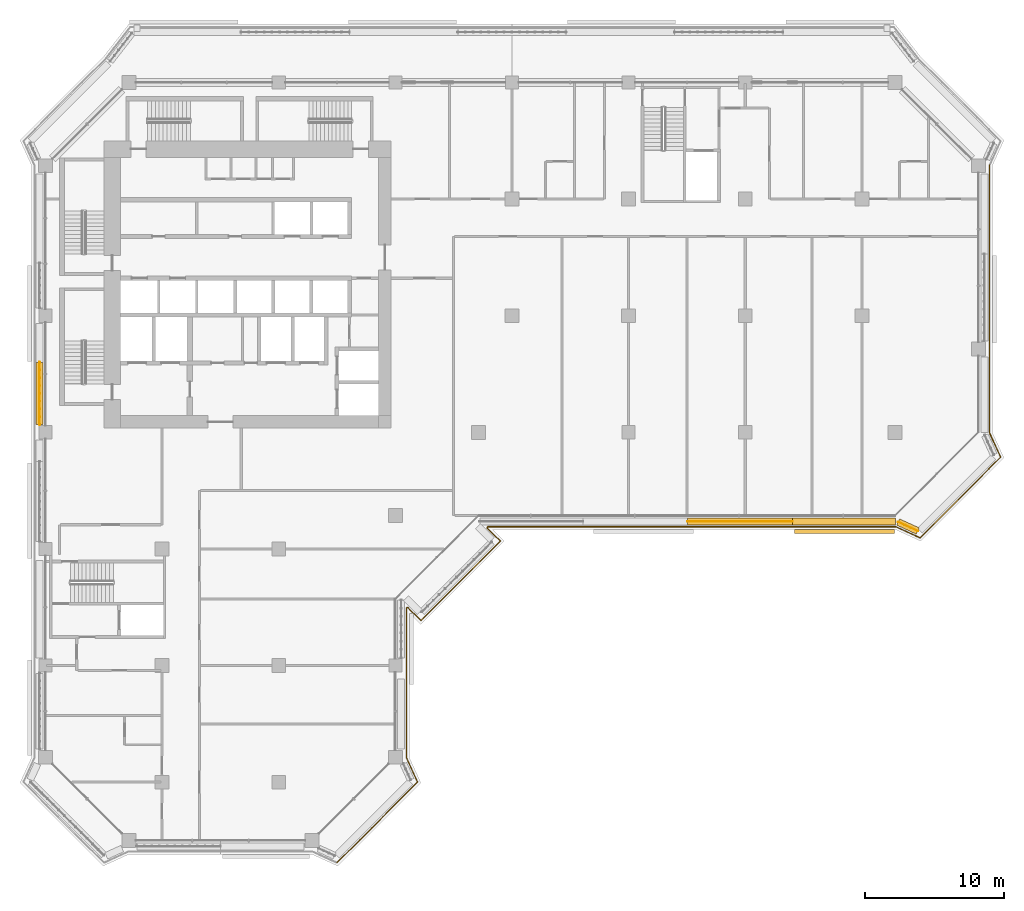
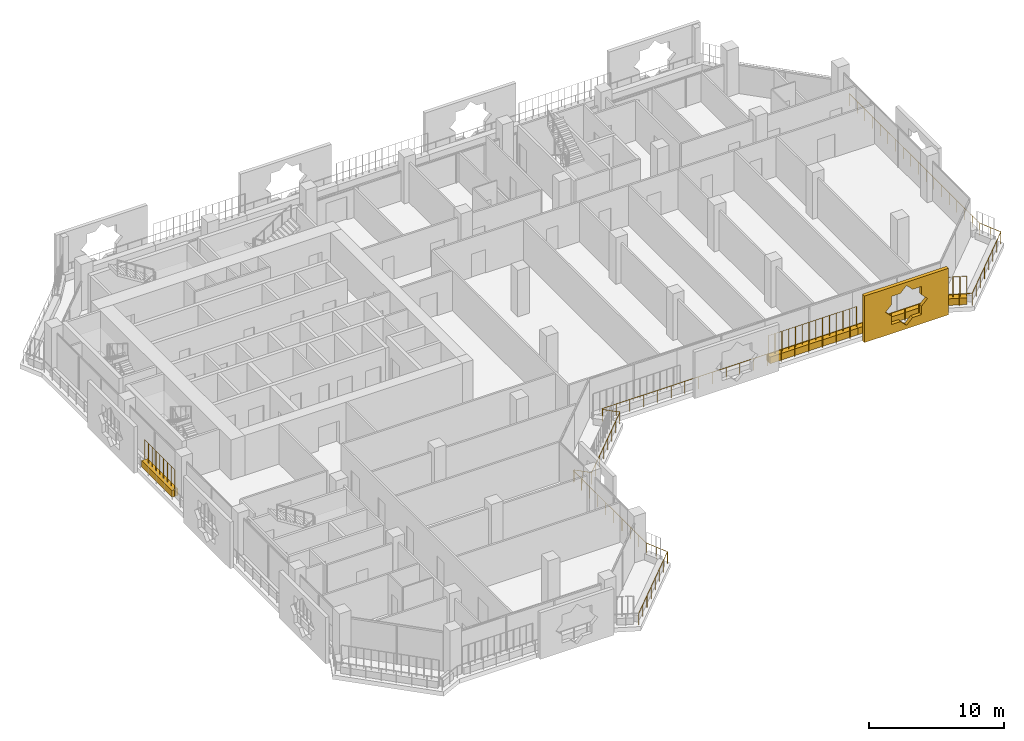
# One storey, part 18 of 21: 5 coverings, 4 railings.
"""IFC4 building model written with IfcOpenShell, lengths in metres."""

from ifc_helpers import new_model, si_unit, direction, frame, origin, origin_2d, place, context, subcontext, project, spatial, polyline, rectangle, circle, outline, extrude, material, material_profile, profile_set, type_object, element, save


model = new_model("IFC4")

# Units and contexts
model_context = context("Model", 3, precision=1e-05, world=origin(), true_north=direction((0.0, 1.0)))
body_context = subcontext(model_context, "Body", "Model", "MODEL_VIEW")
ifc_project = project(units=[si_unit("LENGTHUNIT", "METRE"), si_unit("AREAUNIT", "SQUARE_METRE"), si_unit("VOLUMEUNIT", "CUBIC_METRE"), si_unit("PLANEANGLEUNIT", "RADIAN"), si_unit("MASSUNIT", "GRAM", prefix="KILO")], contexts=[model_context])

# Site, building, storey
site_placement = place(None, origin())
site = spatial("IfcSite", under=ifc_project, at=site_placement, CompositionType="ELEMENT")
building_placement = place(site_placement, origin())
building = spatial("IfcBuilding", under=site, at=building_placement, Name="Kawkab Arch Medical Tower", CompositionType="ELEMENT")
storey_placement = place(building_placement, frame((0.0, 0.0, 200.39990234375)))
storey = spatial("IfcBuildingStorey", under=building, at=storey_placement, Name="L46", CompositionType="ELEMENT", Elevation=200.39990234375)

# Railing
ifc_material_1 = material(Name="Bronze anodised aluminium guard", Category="aluminium")
railing_type_1 = type_object("IfcRailingType", Name="Loggia and terrace guard 1100", PredefinedType="GUARDRAIL", material=ifc_material_1)
railing_1_placement = place(storey_placement, frame((68.0, -5.95703125, 0.0)))
element("IfcRailing", 1, at=railing_1_placement, inside=storey, type_object=railing_type_1, Name="Guard L46.LOG-01.1.2", PredefinedType="GUARDRAIL", context=body_context, shape_type="SweptSolid", body=[
    extrude(circle(Radius=0.02392578125, at=origin_2d()), frame((0.0, 0.0, 1.076171875), z_axis=(0.0, -1.0, 0.0), x_axis=(1.0, 0.0, 0.0)), (0.0, 0.0, 1.0), 19.285888671875),
    extrude(circle(Radius=0.02392578125, at=origin_2d()), frame((0.0, -19.285888671875, 1.076171875), z_axis=(0.414509773934, -0.910044860056, 0.0), x_axis=(0.910044860056, 0.414509773934, 0.0)), (0.0, 0.0, 1.0), 1.92529296875),
    extrude(circle(Radius=0.02392578125, at=origin_2d()), frame((0.798095703125, -21.0380859375, 1.076171875), z_axis=(-0.707106781187, -0.707106781187, 0.0), x_axis=(0.707106781187, -0.707106781187, 0.0)), (0.0, 0.0, 1.0), 8.20654296875),
    extrude(circle(Radius=0.02392578125, at=origin_2d()), frame((-5.0048828125, -26.841064453125, 1.076171875), z_axis=(-0.910044860056, 0.414509773934, 0.0), x_axis=(-0.414509773934, -0.910044860056, 0.0)), (0.0, 0.0, 1.0), 1.92529296875),
    extrude(circle(Radius=0.02392578125, at=origin_2d()), frame((-6.757080078125, -26.04296875, 1.076171875), z_axis=(-1.0, 0.0, 0.0), x_axis=(0.0, -1.0, 0.0)), (0.0, 0.0, 1.0), 29.392822265625),
    extrude(circle(Radius=0.02392578125, at=origin_2d()), frame((-36.14990234375, -26.04296875, 1.076171875), z_axis=(-0.383763674343, -0.923431341387, 0.0), x_axis=(0.923431341387, -0.383763674343, 0.0)), (0.0, 0.0, 1.0), 0.101806640625),
    extrude(circle(Radius=0.02392578125, at=origin_2d()), frame((-36.18896484375, -26.136962890625, 1.076171875), z_axis=(0.707015335112, -0.707198215437, 0.0), x_axis=(0.707198215437, 0.707015335112, 0.0)), (0.0, 0.0, 1.0), 1.3349609375),
    extrude(circle(Radius=0.02392578125, at=origin_2d()), frame((-35.2451171875, -27.0810546875, 1.076171875), z_axis=(-0.707106781187, -0.707106781187, 0.0), x_axis=(0.707106781187, -0.707106781187, 0.0)), (0.0, 0.0, 1.0), 8.084716796875),
    extrude(circle(Radius=0.02392578125, at=origin_2d()), frame((-40.9619140625, -32.7978515625, 1.076171875), z_axis=(-0.707198215437, 0.707015335112, 0.0), x_axis=(-0.707015335112, -0.707198215437, 0.0)), (0.0, 0.0, 1.0), 1.3349609375),
    extrude(circle(Radius=0.02392578125, at=origin_2d()), frame((-41.906005859375, -31.85400390625, 1.076171875), z_axis=(-0.923431341387, -0.383763674343, 0.0), x_axis=(0.383763674343, -0.923431341387, 0.0)), (0.0, 0.0, 1.0), 0.101806640625),
    extrude(circle(Radius=0.02392578125, at=origin_2d()), frame((-42.0, -31.89306640625, 1.076171875), z_axis=(0.0, -1.0, 0.0), x_axis=(1.0, 0.0, 0.0)), (0.0, 0.0, 1.0), 10.79296875),
    extrude(circle(Radius=0.02392578125, at=origin_2d()), frame((-42.0, -42.68603515625, 1.076171875), z_axis=(0.414557610759, -0.910023069687, 0.0), x_axis=(0.910023069687, 0.414557610759, 0.0)), (0.0, 0.0, 1.0), 1.92529296875),
    extrude(circle(Radius=0.02392578125, at=origin_2d()), frame((-41.201904296875, -44.43798828125, 1.076171875), z_axis=(-0.707106781187, -0.707106781187, 0.0), x_axis=(0.707106781187, -0.707106781187, 0.0)), (0.0, 0.0, 1.0), 8.20654296875),
    extrude(circle(Radius=0.02099609375, at=origin_2d()), origin(), (0.0, 0.0, 1.0), 1.052001953125),
    extrude(circle(Radius=0.02099609375, at=origin_2d()), frame((0.0, -1.134521484375, 0.0)), (0.0, 0.0, 1.0), 1.052001953125),
    extrude(circle(Radius=0.02099609375, at=origin_2d()), frame((0.0, -2.26904296875, 0.0)), (0.0, 0.0, 1.0), 1.052001953125),
    extrude(circle(Radius=0.02099609375, at=origin_2d()), frame((0.0, -3.4033203125, 0.0)), (0.0, 0.0, 1.0), 1.052001953125),
    extrude(circle(Radius=0.02099609375, at=origin_2d()), frame((0.0, -4.537841796875, 0.0)), (0.0, 0.0, 1.0), 1.052001953125),
    extrude(circle(Radius=0.02099609375, at=origin_2d()), frame((0.0, -5.67236328125, 0.0)), (0.0, 0.0, 1.0), 1.052001953125),
    extrude(circle(Radius=0.02099609375, at=origin_2d()), frame((0.0, -6.806884765625, 0.0)), (0.0, 0.0, 1.0), 1.052001953125),
    extrude(circle(Radius=0.02099609375, at=origin_2d()), frame((0.0, -7.941162109375, 0.0)), (0.0, 0.0, 1.0), 1.052001953125),
    extrude(circle(Radius=0.02099609375, at=origin_2d()), frame((0.0, -9.07568359375, 0.0)), (0.0, 0.0, 1.0), 1.052001953125),
    extrude(circle(Radius=0.02099609375, at=origin_2d()), frame((0.0, -10.210205078125, 0.0)), (0.0, 0.0, 1.0), 1.052001953125),
    extrude(circle(Radius=0.02099609375, at=origin_2d()), frame((0.0, -11.3447265625, 0.0)), (0.0, 0.0, 1.0), 1.052001953125),
    extrude(circle(Radius=0.02099609375, at=origin_2d()), frame((0.0, -12.47900390625, 0.0)), (0.0, 0.0, 1.0), 1.052001953125),
    extrude(circle(Radius=0.02099609375, at=origin_2d()), frame((0.0, -13.613525390625, 0.0)), (0.0, 0.0, 1.0), 1.052001953125),
    extrude(circle(Radius=0.02099609375, at=origin_2d()), frame((0.0, -14.748046875, 0.0)), (0.0, 0.0, 1.0), 1.052001953125),
    extrude(circle(Radius=0.02099609375, at=origin_2d()), frame((0.0, -15.882568359375, 0.0)), (0.0, 0.0, 1.0), 1.052001953125),
    extrude(circle(Radius=0.02099609375, at=origin_2d()), frame((0.0, -17.016845703125, 0.0)), (0.0, 0.0, 1.0), 1.052001953125),
    extrude(circle(Radius=0.02099609375, at=origin_2d()), frame((0.0, -18.1513671875, 0.0)), (0.0, 0.0, 1.0), 1.052001953125),
    extrude(circle(Radius=0.02099609375, at=origin_2d()), frame((0.0, -19.285888671875, 0.0)), (0.0, 0.0, 1.0), 1.052001953125),
    extrude(circle(Radius=0.02099609375, at=origin_2d()), frame((0.39892578125, -20.162109375, 0.0)), (0.0, 0.0, 1.0), 1.052001953125),
    extrude(circle(Radius=0.02099609375, at=origin_2d()), frame((0.798095703125, -21.0380859375, 0.0)), (0.0, 0.0, 1.0), 1.052001953125),
    extrude(circle(Radius=0.02099609375, at=origin_2d()), frame((-0.031005859375, -21.8671875, 0.0)), (0.0, 0.0, 1.0), 1.052001953125),
    extrude(circle(Radius=0.02099609375, at=origin_2d()), frame((-0.85986328125, -22.696044921875, 0.0)), (0.0, 0.0, 1.0), 1.052001953125),
    extrude(circle(Radius=0.02099609375, at=origin_2d()), frame((-1.68896484375, -23.525146484375, 0.0)), (0.0, 0.0, 1.0), 1.052001953125),
    extrude(circle(Radius=0.02099609375, at=origin_2d()), frame((-2.517822265625, -24.35400390625, 0.0)), (0.0, 0.0, 1.0), 1.052001953125),
    extrude(circle(Radius=0.02099609375, at=origin_2d()), frame((-3.346923828125, -25.18310546875, 0.0)), (0.0, 0.0, 1.0), 1.052001953125),
    extrude(circle(Radius=0.02099609375, at=origin_2d()), frame((-4.17578125, -26.011962890625, 0.0)), (0.0, 0.0, 1.0), 1.052001953125),
    extrude(circle(Radius=0.02099609375, at=origin_2d()), frame((-5.0048828125, -26.841064453125, 0.0)), (0.0, 0.0, 1.0), 1.052001953125),
    extrude(circle(Radius=0.02099609375, at=origin_2d()), frame((-5.880859375, -26.44189453125, 0.0)), (0.0, 0.0, 1.0), 1.052001953125),
    extrude(circle(Radius=0.02099609375, at=origin_2d()), frame((-6.757080078125, -26.04296875, 0.0)), (0.0, 0.0, 1.0), 1.052001953125),
    extrude(circle(Radius=0.02099609375, at=origin_2d()), frame((-7.932861328125, -26.04296875, 0.0)), (0.0, 0.0, 1.0), 1.052001953125),
    extrude(circle(Radius=0.02099609375, at=origin_2d()), frame((-9.1083984375, -26.04296875, 0.0)), (0.0, 0.0, 1.0), 1.052001953125),
    extrude(circle(Radius=0.02099609375, at=origin_2d()), frame((-10.2841796875, -26.04296875, 0.0)), (0.0, 0.0, 1.0), 1.052001953125),
    extrude(circle(Radius=0.02099609375, at=origin_2d()), frame((-11.4599609375, -26.04296875, 0.0)), (0.0, 0.0, 1.0), 1.052001953125),
    extrude(circle(Radius=0.02099609375, at=origin_2d()), frame((-12.6357421875, -26.04296875, 0.0)), (0.0, 0.0, 1.0), 1.052001953125),
    extrude(circle(Radius=0.02099609375, at=origin_2d()), frame((-13.811279296875, -26.04296875, 0.0)), (0.0, 0.0, 1.0), 1.052001953125),
    extrude(circle(Radius=0.02099609375, at=origin_2d()), frame((-14.987060546875, -26.04296875, 0.0)), (0.0, 0.0, 1.0), 1.052001953125),
    extrude(circle(Radius=0.02099609375, at=origin_2d()), frame((-16.162841796875, -26.04296875, 0.0)), (0.0, 0.0, 1.0), 1.052001953125),
    extrude(circle(Radius=0.02099609375, at=origin_2d()), frame((-17.33837890625, -26.04296875, 0.0)), (0.0, 0.0, 1.0), 1.052001953125),
    extrude(circle(Radius=0.02099609375, at=origin_2d()), frame((-18.51416015625, -26.04296875, 0.0)), (0.0, 0.0, 1.0), 1.052001953125),
    extrude(circle(Radius=0.02099609375, at=origin_2d()), frame((-19.68994140625, -26.04296875, 0.0)), (0.0, 0.0, 1.0), 1.052001953125),
    extrude(circle(Radius=0.02099609375, at=origin_2d()), frame((-20.86572265625, -26.04296875, 0.0)), (0.0, 0.0, 1.0), 1.052001953125),
    extrude(circle(Radius=0.02099609375, at=origin_2d()), frame((-22.041259765625, -26.04296875, 0.0)), (0.0, 0.0, 1.0), 1.052001953125),
    extrude(circle(Radius=0.02099609375, at=origin_2d()), frame((-23.217041015625, -26.04296875, 0.0)), (0.0, 0.0, 1.0), 1.052001953125),
    extrude(circle(Radius=0.02099609375, at=origin_2d()), frame((-24.392822265625, -26.04296875, 0.0)), (0.0, 0.0, 1.0), 1.052001953125),
    extrude(circle(Radius=0.02099609375, at=origin_2d()), frame((-25.568603515625, -26.04296875, 0.0)), (0.0, 0.0, 1.0), 1.052001953125),
    extrude(circle(Radius=0.02099609375, at=origin_2d()), frame((-26.744140625, -26.04296875, 0.0)), (0.0, 0.0, 1.0), 1.052001953125),
    extrude(circle(Radius=0.02099609375, at=origin_2d()), frame((-27.919921875, -26.04296875, 0.0)), (0.0, 0.0, 1.0), 1.052001953125),
    extrude(circle(Radius=0.02099609375, at=origin_2d()), frame((-29.095703125, -26.04296875, 0.0)), (0.0, 0.0, 1.0), 1.052001953125),
    extrude(circle(Radius=0.02099609375, at=origin_2d()), frame((-30.271240234375, -26.04296875, 0.0)), (0.0, 0.0, 1.0), 1.052001953125),
    extrude(circle(Radius=0.02099609375, at=origin_2d()), frame((-31.447021484375, -26.04296875, 0.0)), (0.0, 0.0, 1.0), 1.052001953125),
    extrude(circle(Radius=0.02099609375, at=origin_2d()), frame((-32.622802734375, -26.04296875, 0.0)), (0.0, 0.0, 1.0), 1.052001953125),
    extrude(circle(Radius=0.02099609375, at=origin_2d()), frame((-33.798583984375, -26.04296875, 0.0)), (0.0, 0.0, 1.0), 1.052001953125),
    extrude(circle(Radius=0.02099609375, at=origin_2d()), frame((-34.97412109375, -26.04296875, 0.0)), (0.0, 0.0, 1.0), 1.052001953125),
    extrude(circle(Radius=0.02099609375, at=origin_2d()), frame((-36.14990234375, -26.04296875, 0.0)), (0.0, 0.0, 1.0), 1.052001953125),
    extrude(circle(Radius=0.02099609375, at=origin_2d()), frame((-36.18896484375, -26.136962890625, 0.0)), (0.0, 0.0, 1.0), 1.052001953125),
    extrude(circle(Radius=0.02099609375, at=origin_2d()), frame((-35.717041015625, -26.60888671875, 0.0)), (0.0, 0.0, 1.0), 1.052001953125),
    extrude(circle(Radius=0.02099609375, at=origin_2d()), frame((-35.2451171875, -27.0810546875, 0.0)), (0.0, 0.0, 1.0), 1.052001953125),
    extrude(circle(Radius=0.02099609375, at=origin_2d()), frame((-36.061767578125, -27.897705078125, 0.0)), (0.0, 0.0, 1.0), 1.052001953125),
    extrude(circle(Radius=0.02099609375, at=origin_2d()), frame((-36.87841796875, -28.71435546875, 0.0)), (0.0, 0.0, 1.0), 1.052001953125),
    extrude(circle(Radius=0.02099609375, at=origin_2d()), frame((-37.695068359375, -29.531005859375, 0.0)), (0.0, 0.0, 1.0), 1.052001953125),
    extrude(circle(Radius=0.02099609375, at=origin_2d()), frame((-38.511962890625, -30.347900390625, 0.0)), (0.0, 0.0, 1.0), 1.052001953125),
    extrude(circle(Radius=0.02099609375, at=origin_2d()), frame((-39.32861328125, -31.16455078125, 0.0)), (0.0, 0.0, 1.0), 1.052001953125),
    extrude(circle(Radius=0.02099609375, at=origin_2d()), frame((-40.145263671875, -31.981201171875, 0.0)), (0.0, 0.0, 1.0), 1.052001953125),
    extrude(circle(Radius=0.02099609375, at=origin_2d()), frame((-40.9619140625, -32.7978515625, 0.0)), (0.0, 0.0, 1.0), 1.052001953125),
    extrude(circle(Radius=0.02099609375, at=origin_2d()), frame((-41.43408203125, -32.325927734375, 0.0)), (0.0, 0.0, 1.0), 1.052001953125),
    extrude(circle(Radius=0.02099609375, at=origin_2d()), frame((-41.906005859375, -31.85400390625, 0.0)), (0.0, 0.0, 1.0), 1.052001953125),
    extrude(circle(Radius=0.02099609375, at=origin_2d()), frame((-42.0, -31.89306640625, 0.0)), (0.0, 0.0, 1.0), 1.052001953125),
    extrude(circle(Radius=0.02099609375, at=origin_2d()), frame((-42.0, -33.09228515625, 0.0)), (0.0, 0.0, 1.0), 1.052001953125),
    extrude(circle(Radius=0.02099609375, at=origin_2d()), frame((-42.0, -34.29150390625, 0.0)), (0.0, 0.0, 1.0), 1.052001953125),
    extrude(circle(Radius=0.02099609375, at=origin_2d()), frame((-42.0, -35.49072265625, 0.0)), (0.0, 0.0, 1.0), 1.052001953125),
    extrude(circle(Radius=0.02099609375, at=origin_2d()), frame((-42.0, -36.68994140625, 0.0)), (0.0, 0.0, 1.0), 1.052001953125),
    extrude(circle(Radius=0.02099609375, at=origin_2d()), frame((-42.0, -37.88916015625, 0.0)), (0.0, 0.0, 1.0), 1.052001953125),
    extrude(circle(Radius=0.02099609375, at=origin_2d()), frame((-42.0, -39.08837890625, 0.0)), (0.0, 0.0, 1.0), 1.052001953125),
    extrude(circle(Radius=0.02099609375, at=origin_2d()), frame((-42.0, -40.28759765625, 0.0)), (0.0, 0.0, 1.0), 1.052001953125),
    extrude(circle(Radius=0.02099609375, at=origin_2d()), frame((-42.0, -41.48681640625, 0.0)), (0.0, 0.0, 1.0), 1.052001953125),
    extrude(circle(Radius=0.02099609375, at=origin_2d()), frame((-42.0, -42.68603515625, 0.0)), (0.0, 0.0, 1.0), 1.052001953125),
    extrude(circle(Radius=0.02099609375, at=origin_2d()), frame((-41.60107421875, -43.56201171875, 0.0)), (0.0, 0.0, 1.0), 1.052001953125),
    extrude(circle(Radius=0.02099609375, at=origin_2d()), frame((-41.201904296875, -44.43798828125, 0.0)), (0.0, 0.0, 1.0), 1.052001953125),
    extrude(circle(Radius=0.02099609375, at=origin_2d()), frame((-42.031005859375, -45.26708984375, 0.0)), (0.0, 0.0, 1.0), 1.052001953125),
    extrude(circle(Radius=0.02099609375, at=origin_2d()), frame((-42.85986328125, -46.095947265625, 0.0)), (0.0, 0.0, 1.0), 1.052001953125),
    extrude(circle(Radius=0.02099609375, at=origin_2d()), frame((-43.68896484375, -46.925048828125, 0.0)), (0.0, 0.0, 1.0), 1.052001953125),
    extrude(circle(Radius=0.02099609375, at=origin_2d()), frame((-44.517822265625, -47.75390625, 0.0)), (0.0, 0.0, 1.0), 1.052001953125),
    extrude(circle(Radius=0.02099609375, at=origin_2d()), frame((-45.346923828125, -48.5830078125, 0.0)), (0.0, 0.0, 1.0), 1.052001953125),
    extrude(circle(Radius=0.02099609375, at=origin_2d()), frame((-46.17578125, -49.411865234375, 0.0)), (0.0, 0.0, 1.0), 1.052001953125),
    extrude(circle(Radius=0.02099609375, at=origin_2d()), frame((-47.0048828125, -50.240966796875, 0.0)), (0.0, 0.0, 1.0), 1.052001953125),
])

# Coverings
ifc_material_2 = material(Name="Bronze anodised aluminium mashrabiya panel, eight-point star pattern", Category="aluminium")
ifc_material_profile_1 = material_profile(ifc_material_2, outline(polyline([(-3.60009765625, -2.10009765625), (3.60009765625, -2.10009765625), (3.60009765625, 2.10009765625), (-3.60009765625, 2.10009765625), (-3.60009765625, -2.10009765625)]), holes=[polyline([(1.800048828125, 0.0), (1.272705078125, 0.527099609375), (1.272705078125, 1.272705078125), (0.527099609375, 1.272705078125), (0.0, 1.800048828125), (-0.527099609375, 1.272705078125), (-1.272705078125, 1.272705078125), (-1.272705078125, 0.527099609375), (-1.800048828125, 0.0), (-1.272705078125, -0.527099609375), (-1.272705078125, -1.272705078125), (-0.527099609375, -1.272705078125), (0.0, -1.800048828125), (0.527099609375, -1.272705078125), (1.272705078125, -1.272705078125), (1.272705078125, -0.527099609375), (1.800048828125, 0.0)])]), Name="Mashrabiya panel 7200x4200")
ifc_profile_set_1 = profile_set([ifc_material_profile_1], Name="Bronze anodised aluminium mashrabiya panel, eight-point star pattern")
covering_type_1 = type_object("IfcCoveringType", Name="Mashrabiya panel 7200 x 4200", PredefinedType="USERDEFINED", material=ifc_profile_set_1)
covering_1_placement = place(storey_placement, frame((57.5546875, -32.199951171875, 1.7001953125), z_axis=(0.0, -1.0, 0.0), x_axis=(1.0, 0.0, 0.0)))
element("IfcCovering", 2, at=covering_1_placement, inside=storey, type_object=covering_type_1, Name="Mashrabiya panel L46.LOG-01-01.10", ObjectType="SCREEN", PredefinedType="USERDEFINED", context=body_context, shape_type="SweptSolid", body=[
    extrude(outline(polyline([(-3.60009765625, -2.10009765625), (3.60009765625, -2.10009765625), (3.60009765625, 2.10009765625), (-3.60009765625, 2.10009765625), (-3.60009765625, -2.10009765625)]), holes=[polyline([(1.800048828125, 0.0), (1.272705078125, 0.527099609375), (1.272705078125, 1.272705078125), (0.527099609375, 1.272705078125), (0.0, 1.800048828125), (-0.527099609375, 1.272705078125), (-1.272705078125, 1.272705078125), (-1.272705078125, 0.527099609375), (-1.800048828125, 0.0), (-1.272705078125, -0.527099609375), (-1.272705078125, -1.272705078125), (-0.527099609375, -1.272705078125), (0.0, -1.800048828125), (0.527099609375, -1.272705078125), (1.272705078125, -1.272705078125), (1.272705078125, -0.527099609375), (1.800048828125, 0.0)])]), origin(), (0.0, 0.0, 1.0), 0.300048828125),
])
ifc_material_3 = material(Name="Planting soil in a precast trough", Category="concrete")
ifc_material_profile_2 = material_profile(ifc_material_3, rectangle(XDim=0.5, YDim=0.60009765625, at=origin_2d()), Name="Trough 500x600")
ifc_profile_set_2 = profile_set([ifc_material_profile_2], Name="Planting soil in a precast trough")
covering_type_2 = type_object("IfcCoveringType", Name="Planter trough 500 x 600", PredefinedType="USERDEFINED", material=ifc_profile_set_2)
covering_2_placement = place(storey_placement, frame((-0.419921875, -24.64501953125, 0.300048828125), z_axis=(0.0, 1.0, 0.0), x_axis=(-1.0, 0.0, 0.0)))
element("IfcCovering", 3, at=covering_2_placement, inside=storey, type_object=covering_type_2, Name="Planter L46.LOG-01-01.11", ObjectType="PLANTER", PredefinedType="USERDEFINED", context=body_context, shape_type="SweptSolid", body=[
    extrude(rectangle(XDim=0.5, YDim=0.60009765625, at=origin_2d()), origin(), (0.0, 0.0, 1.0), 4.487060546875),
])
covering_3_placement = place(storey_placement, frame((62.821044921875, -32.302001953125, 0.300048828125), z_axis=(-0.909655525109, 0.415363486165, 0.0), x_axis=(-0.415363486165, -0.909655525109, 0.0)))
element("IfcCovering", 4, at=covering_3_placement, inside=storey, type_object=covering_type_2, Name="Planter L46.LOG-01-01.33", ObjectType="PLANTER", PredefinedType="USERDEFINED", context=body_context, shape_type="SweptSolid", body=[
    extrude(rectangle(XDim=0.5, YDim=0.60009765625, at=origin_2d()), origin(), (0.0, 0.0, 1.0), 1.54345703125),
])
covering_4_placement = place(storey_placement, frame((61.22607421875, -31.6201171875, 0.300048828125), z_axis=(-1.0, 0.0, 0.0), x_axis=(0.0, -1.0, 0.0)))
element("IfcCovering", 5, at=covering_4_placement, inside=storey, type_object=covering_type_2, Name="Planter L46.LOG-01-01.34", ObjectType="PLANTER", PredefinedType="USERDEFINED", context=body_context, shape_type="SweptSolid", body=[
    extrude(rectangle(XDim=0.5, YDim=0.60009765625, at=origin_2d()), origin(), (0.0, 0.0, 1.0), 7.43505859375),
])
covering_5_placement = place(storey_placement, frame((53.791015625, -31.6201171875, 0.300048828125), z_axis=(-1.0, 0.0, 0.0), x_axis=(0.0, -1.0, 0.0)))
element("IfcCovering", 6, at=covering_5_placement, inside=storey, type_object=covering_type_2, Name="Planter L46.LOG-01-01.35", ObjectType="PLANTER", PredefinedType="USERDEFINED", context=body_context, shape_type="SweptSolid", body=[
    extrude(rectangle(XDim=0.5, YDim=0.60009765625, at=origin_2d()), origin(), (0.0, 0.0, 1.0), 7.5361328125),
])

# Railings
ifc_material_4 = material(Name="Bronze anodised aluminium trellis for climbing plants", Category="aluminium")
railing_type_2 = type_object("IfcRailingType", Name="Planting trellis 2400", PredefinedType="USERDEFINED", material=ifc_material_4)
railing_2_placement = place(storey_placement, frame((-0.419921875, -24.64501953125, 0.0)))
element("IfcRailing", 7, at=railing_2_placement, inside=storey, type_object=railing_type_2, Name="Planting trellis L46.LOG-01-01.11", ObjectType="TRELLIS", PredefinedType="USERDEFINED", context=body_context, shape_type="SweptSolid", body=[
    extrude(circle(Radius=0.01513671875, at=origin_2d()), frame((0.0, 0.0, 2.384765625), z_axis=(0.0, 1.0, 0.0), x_axis=(-1.0, 0.0, 0.0)), (0.0, 0.0, 1.0), 4.487060546875),
    extrude(circle(Radius=0.030029296875, at=origin_2d()), origin(), (0.0, 0.0, 1.0), 2.369873046875),
    extrude(circle(Radius=0.030029296875, at=origin_2d()), frame((0.0, 0.560791015625, 0.0)), (0.0, 0.0, 1.0), 2.369873046875),
    extrude(circle(Radius=0.030029296875, at=origin_2d()), frame((0.0, 1.121826171875, 0.0)), (0.0, 0.0, 1.0), 2.369873046875),
    extrude(circle(Radius=0.030029296875, at=origin_2d()), frame((0.0, 1.6826171875, 0.0)), (0.0, 0.0, 1.0), 2.369873046875),
    extrude(circle(Radius=0.030029296875, at=origin_2d()), frame((0.0, 2.24365234375, 0.0)), (0.0, 0.0, 1.0), 2.369873046875),
    extrude(circle(Radius=0.030029296875, at=origin_2d()), frame((0.0, 2.804443359375, 0.0)), (0.0, 0.0, 1.0), 2.369873046875),
    extrude(circle(Radius=0.030029296875, at=origin_2d()), frame((0.0, 3.365234375, 0.0)), (0.0, 0.0, 1.0), 2.369873046875),
    extrude(circle(Radius=0.030029296875, at=origin_2d()), frame((0.0, 3.92626953125, 0.0)), (0.0, 0.0, 1.0), 2.369873046875),
    extrude(circle(Radius=0.030029296875, at=origin_2d()), frame((0.0, 4.487060546875, 0.0)), (0.0, 0.0, 1.0), 2.369873046875),
])
railing_3_placement = place(storey_placement, frame((62.821044921875, -32.302001953125, 0.0)))
element("IfcRailing", 8, at=railing_3_placement, inside=storey, type_object=railing_type_2, Name="Planting trellis L46.LOG-01-01.33", ObjectType="TRELLIS", PredefinedType="USERDEFINED", context=body_context, shape_type="SweptSolid", body=[
    extrude(circle(Radius=0.01513671875, at=origin_2d()), frame((0.0, 0.0, 2.384765625), z_axis=(-0.909655525109, 0.415363486165, 0.0), x_axis=(-0.415363486165, -0.909655525109, 0.0)), (0.0, 0.0, 1.0), 1.54345703125),
    extrude(circle(Radius=0.030029296875, at=origin_2d()), origin(), (0.0, 0.0, 1.0), 2.369873046875),
    extrude(circle(Radius=0.030029296875, at=origin_2d()), frame((-0.468017578125, 0.213623046875, 0.0)), (0.0, 0.0, 1.0), 2.369873046875),
    extrude(circle(Radius=0.030029296875, at=origin_2d()), frame((-0.93603515625, 0.427490234375, 0.0)), (0.0, 0.0, 1.0), 2.369873046875),
    extrude(circle(Radius=0.030029296875, at=origin_2d()), frame((-1.404052734375, 0.64111328125, 0.0)), (0.0, 0.0, 1.0), 2.369873046875),
])
railing_4_placement = place(storey_placement, frame((53.791015625, -31.6201171875, 0.0)))
element("IfcRailing", 9, at=railing_4_placement, inside=storey, type_object=railing_type_2, Name="Planting trellis L46.LOG-01-01.35", ObjectType="TRELLIS", PredefinedType="USERDEFINED", context=body_context, shape_type="SweptSolid", body=[
    extrude(circle(Radius=0.01513671875, at=origin_2d()), frame((0.0, 0.0, 2.384765625), z_axis=(-1.0, 0.0, 0.0), x_axis=(0.0, -1.0, 0.0)), (0.0, 0.0, 1.0), 7.5361328125),
    extrude(circle(Radius=0.030029296875, at=origin_2d()), origin(), (0.0, 0.0, 1.0), 2.369873046875),
    extrude(circle(Radius=0.030029296875, at=origin_2d()), frame((-0.57958984375, 0.0, 0.0)), (0.0, 0.0, 1.0), 2.369873046875),
    extrude(circle(Radius=0.030029296875, at=origin_2d()), frame((-1.159423828125, 0.0, 0.0)), (0.0, 0.0, 1.0), 2.369873046875),
    extrude(circle(Radius=0.030029296875, at=origin_2d()), frame((-1.739013671875, 0.0, 0.0)), (0.0, 0.0, 1.0), 2.369873046875),
    extrude(circle(Radius=0.030029296875, at=origin_2d()), frame((-2.31884765625, 0.0, 0.0)), (0.0, 0.0, 1.0), 2.369873046875),
    extrude(circle(Radius=0.030029296875, at=origin_2d()), frame((-2.8984375, 0.0, 0.0)), (0.0, 0.0, 1.0), 2.369873046875),
    extrude(circle(Radius=0.030029296875, at=origin_2d()), frame((-3.478271484375, 0.0, 0.0)), (0.0, 0.0, 1.0), 2.369873046875),
    extrude(circle(Radius=0.030029296875, at=origin_2d()), frame((-4.057861328125, 0.0, 0.0)), (0.0, 0.0, 1.0), 2.369873046875),
    extrude(circle(Radius=0.030029296875, at=origin_2d()), frame((-4.6376953125, 0.0, 0.0)), (0.0, 0.0, 1.0), 2.369873046875),
    extrude(circle(Radius=0.030029296875, at=origin_2d()), frame((-5.21728515625, 0.0, 0.0)), (0.0, 0.0, 1.0), 2.369873046875),
    extrude(circle(Radius=0.030029296875, at=origin_2d()), frame((-5.797119140625, 0.0, 0.0)), (0.0, 0.0, 1.0), 2.369873046875),
    extrude(circle(Radius=0.030029296875, at=origin_2d()), frame((-6.376708984375, 0.0, 0.0)), (0.0, 0.0, 1.0), 2.369873046875),
    extrude(circle(Radius=0.030029296875, at=origin_2d()), frame((-6.95654296875, 0.0, 0.0)), (0.0, 0.0, 1.0), 2.369873046875),
    extrude(circle(Radius=0.030029296875, at=origin_2d()), frame((-7.5361328125, 0.0, 0.0)), (0.0, 0.0, 1.0), 2.369873046875),
])

save(model, "model.ifc")
